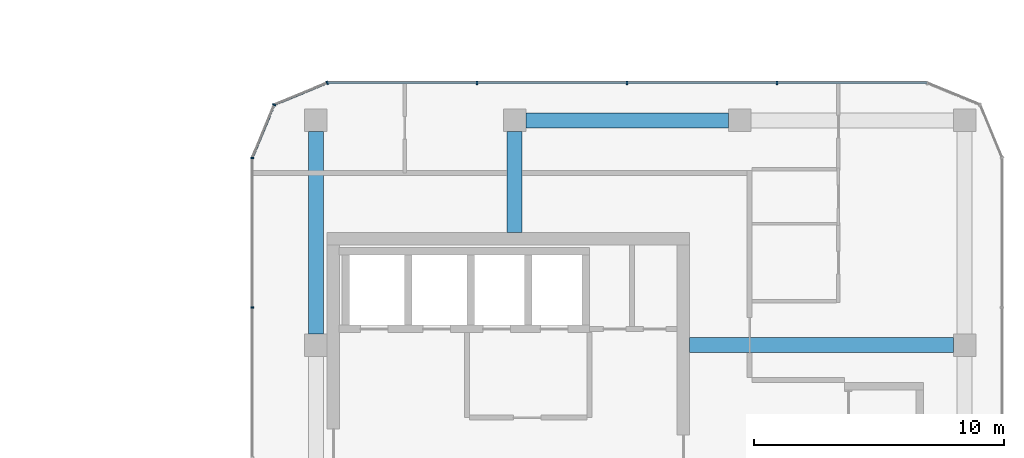
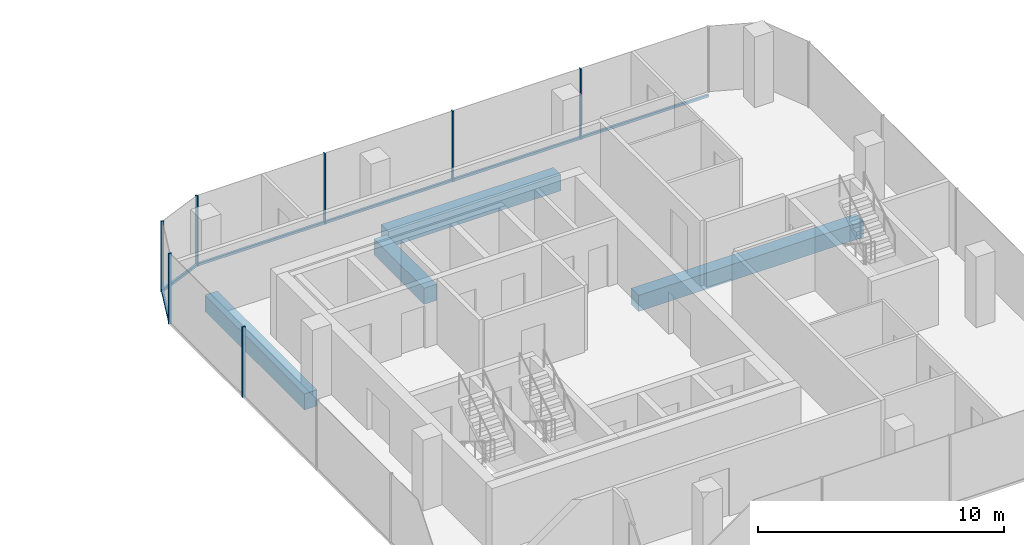
# One storey, part 10 of 24: 10 members, 4 beams, 4 elements without a shape of their own.
"""IFC4 building model written with IfcOpenShell, lengths in metres."""

from ifc_helpers import new_model, si_unit, direction, frame, origin, origin_2d, place, context, subcontext, project, spatial, rectangle, extrude, material, layer, layer_set, material_profile, profile_set, type_object, element, aggregate, save


model = new_model("IFC4")

# Units and contexts
model_context = context("Model", 3, precision=1e-05, world=origin(), true_north=direction((0.0, 1.0)))
body_context = subcontext(model_context, "Body", "Model", "MODEL_VIEW")
ifc_project = project(units=[si_unit("LENGTHUNIT", "METRE"), si_unit("AREAUNIT", "SQUARE_METRE"), si_unit("VOLUMEUNIT", "CUBIC_METRE"), si_unit("PLANEANGLEUNIT", "RADIAN"), si_unit("MASSUNIT", "GRAM", prefix="KILO")], contexts=[model_context])

# Site, building, storey
site_placement = place(None, origin())
site = spatial("IfcSite", under=ifc_project, at=site_placement, CompositionType="ELEMENT")
building_placement = place(site_placement, origin())
building = spatial("IfcBuilding", under=site, at=building_placement, Name="Plateau Cross Towers", CompositionType="ELEMENT")
storey_placement = place(building_placement, frame((0.0, 0.0, 51.300048828125)))
storey = spatial("IfcBuildingStorey", under=building, at=storey_placement, Name="L12", CompositionType="ELEMENT", Elevation=51.300048828125)

# Beams
ifc_material_1 = material(Name="Concrete C60/75", Category="concrete")
ifc_material_profile_1 = material_profile(ifc_material_1, rectangle(XDim=0.60009765625, YDim=0.800048828125, at=origin_2d()), Name="RC 600x800")
ifc_profile_set_1 = profile_set([ifc_material_profile_1], Name="Concrete C60/75")
beam_type_1 = type_object("IfcBeamType", Name="Core beam RC 600x800", PredefinedType="BEAM", material=ifc_profile_set_1)
beam_1_placement = place(storey_placement, frame((89.5, 13.5, -0.650146484375), z_axis=(1.0, 0.0, 0.0), x_axis=(0.0, 1.0, 0.0)))
element("IfcBeam", 1, at=beam_1_placement, inside=storey, type_object=beam_type_1, Name="B-CB03@L12", PredefinedType="BEAM", context=body_context, shape_type="SweptSolid", body=[
    extrude(rectangle(XDim=0.60009765625, YDim=0.800048828125, at=origin_2d()), origin(), (0.0, 0.0, 1.0), 10.550048828125),
])
beam_2_placement = place(storey_placement, frame((82.5, 18.0, -0.650146484375), z_axis=(0.0, 1.0, 0.0), x_axis=(-1.0, 0.0, 0.0)))
element("IfcBeam", 2, at=beam_2_placement, inside=storey, type_object=beam_type_1, Name="B-CB04@L12", PredefinedType="BEAM", context=body_context, shape_type="SweptSolid", body=[
    extrude(rectangle(XDim=0.60009765625, YDim=0.800048828125, at=origin_2d()), origin(), (0.0, 0.0, 1.0), 4.050048828125),
])

# Curtain wall, members
ifc_material_2 = material(Name="Dark low-iron glass", Category="glass")
ifc_layer = layer(ifc_material_2, 0.239990234375)
ifc_layer_set = layer_set([ifc_layer], Name="Dark low-iron glass")
curtain_wall_type = type_object("IfcCurtainWallType", Name="Curtain wall office unitised CW-F", PredefinedType="NOTDEFINED", material=ifc_layer_set)
curtain_wall_1_placement = place(storey_placement, origin())
curtain_wall_1 = element("IfcCurtainWall", 3, at=curtain_wall_1_placement, inside=storey, type_object=curtain_wall_type, Name="ENV/B/L12/B990_240", PredefinedType="NOTDEFINED")
ifc_material_3 = material(Name="Black anodised aluminium", Category="aluminium")
ifc_material_profile_2 = material_profile(ifc_material_3, rectangle(XDim=0.06005859375, YDim=0.139892578125, at=origin_2d()), Name="MULLION 60x140")
ifc_profile_set_2 = profile_set([ifc_material_profile_2], Name="Black anodised aluminium")
member_type_1 = type_object("IfcMemberType", Name="Mullion 60x140 office unitised", PredefinedType="MULLION", material=ifc_profile_set_2)
member_1_placement = place(storey_placement, frame((93.0, 24.0, -0.25), z_axis=(0.0, 0.0, 1.0), x_axis=(-1.0, 0.0, 0.0)))
member_1 = element("IfcMember", 4, at=member_1_placement, type_object=member_type_1, Name="CW-F mullion 2", PredefinedType="MULLION", context=body_context, shape_type="SweptSolid", body=[
    extrude(rectangle(XDim=0.06005859375, YDim=0.139892578125, at=origin_2d()), origin(), (0.0, 0.0, 1.0), 3.5),
])
member_2_placement = place(storey_placement, frame((87.0, 24.0, -0.25), z_axis=(0.0, 0.0, 1.0), x_axis=(-1.0, 0.0, 0.0)))
member_2 = element("IfcMember", 5, at=member_2_placement, type_object=member_type_1, Name="CW-F mullion 3", PredefinedType="MULLION", context=body_context, shape_type="SweptSolid", body=[
    extrude(rectangle(XDim=0.06005859375, YDim=0.139892578125, at=origin_2d()), origin(), (0.0, 0.0, 1.0), 3.5),
])
member_3_placement = place(storey_placement, frame((81.0, 24.0, -0.25), z_axis=(0.0, 0.0, 1.0), x_axis=(-1.0, 0.0, 0.0)))
member_3 = element("IfcMember", 6, at=member_3_placement, type_object=member_type_1, Name="CW-F mullion 4", PredefinedType="MULLION", context=body_context, shape_type="SweptSolid", body=[
    extrude(rectangle(XDim=0.06005859375, YDim=0.139892578125, at=origin_2d()), origin(), (0.0, 0.0, 1.0), 3.5),
])

# Curtain wall, member
curtain_wall_2_placement = place(storey_placement, origin())
curtain_wall_2 = element("IfcCurtainWall", 7, at=curtain_wall_2_placement, inside=storey, type_object=curtain_wall_type, Name="ENV/B/L12/B750_240", PredefinedType="NOTDEFINED")
member_4_placement = place(storey_placement, frame((75.0, 24.0, -0.25), z_axis=(0.0, 0.0, 1.0), x_axis=(-0.923879457699, -0.382683612978, 0.0)))
member_4 = element("IfcMember", 8, at=member_4_placement, type_object=member_type_1, Name="CW-F mullion 1", PredefinedType="MULLION", context=body_context, shape_type="SweptSolid", body=[
    extrude(rectangle(XDim=0.06005859375, YDim=0.139892578125, at=origin_2d()), origin(), (0.0, 0.0, 1.0), 3.5),
])

curtain_wall_3_placement = place(storey_placement, origin())
curtain_wall_3 = element("IfcCurtainWall", 9, at=curtain_wall_3_placement, inside=storey, type_object=curtain_wall_type, Name="ENV/B/L12/B729_231", PredefinedType="NOTDEFINED")
member_5_placement = place(storey_placement, frame((72.878662109375, 23.121337890625, -0.25), z_axis=(0.0, 0.0, 1.0), x_axis=(-0.382683612978, -0.923879457699, 0.0)))
member_5 = element("IfcMember", 10, at=member_5_placement, type_object=member_type_1, Name="CW-F mullion 1", PredefinedType="MULLION", context=body_context, shape_type="SweptSolid", body=[
    extrude(rectangle(XDim=0.06005859375, YDim=0.139892578125, at=origin_2d()), origin(), (0.0, 0.0, 1.0), 3.5),
])

# Curtain wall, members
curtain_wall_4_placement = place(storey_placement, origin())
curtain_wall_4 = element("IfcCurtainWall", 11, at=curtain_wall_4_placement, inside=storey, type_object=curtain_wall_type, Name="ENV/B/L12/B720_210", PredefinedType="NOTDEFINED")
member_6_placement = place(storey_placement, frame((72.0, 21.0, -0.25), z_axis=(0.0, 0.0, 1.0), x_axis=(0.0, -1.0, 0.0)))
member_6 = element("IfcMember", 12, at=member_6_placement, type_object=member_type_1, Name="CW-F mullion 1", PredefinedType="MULLION", context=body_context, shape_type="SweptSolid", body=[
    extrude(rectangle(XDim=0.06005859375, YDim=0.139892578125, at=origin_2d()), origin(), (0.0, 0.0, 1.0), 3.5),
])
member_7_placement = place(storey_placement, frame((72.0, 15.0, -0.25), z_axis=(0.0, 0.0, 1.0), x_axis=(0.0, -1.0, 0.0)))
member_7 = element("IfcMember", 13, at=member_7_placement, type_object=member_type_1, Name="CW-F mullion 2", PredefinedType="MULLION", context=body_context, shape_type="SweptSolid", body=[
    extrude(rectangle(XDim=0.06005859375, YDim=0.139892578125, at=origin_2d()), origin(), (0.0, 0.0, 1.0), 3.5),
])
aggregate(curtain_wall_4, [member_6, member_7])

# Beams
ifc_material_profile_3 = material_profile(ifc_material_1, rectangle(XDim=0.60009765625, YDim=0.800048828125, at=origin_2d()), Name="RC 600x800")
ifc_profile_set_3 = profile_set([ifc_material_profile_3], Name="Concrete C60/75")
beam_type_2 = type_object("IfcBeamType", Name="Ring beam RC 600x800", PredefinedType="BEAM", material=ifc_profile_set_3)
for number, where, z_axis, x_axis, name in (
    (14, (91.050048828125, 22.5, -0.650146484375), (-1.0, 0.0, 0.0), (0.0, -1.0, 0.0), "B-RB07@L12"),
    (15, (74.550048828125, 22.050048828125, -0.650146484375), (0.0, -1.0, 0.0), (1.0, 0.0, 0.0), "B-RB08@L12"),
):
    element("IfcBeam", number, at=place(storey_placement, frame(where, z_axis=z_axis, x_axis=x_axis)), inside=storey, type_object=beam_type_2, Name=name, PredefinedType="BEAM", context=body_context, shape_type="SweptSolid", body=[
        extrude(rectangle(XDim=0.60009765625, YDim=0.800048828125, at=origin_2d()), origin(), (0.0, 0.0, 1.0), 8.10009765625),
    ])

# Member
ifc_material_profile_4 = material_profile(ifc_material_3, rectangle(XDim=0.10009765625, YDim=0.1201171875, at=origin_2d()), Name="TRANSOM 100x120")
ifc_profile_set_4 = profile_set([ifc_material_profile_4], Name="Black anodised aluminium")
member_type_2 = type_object("IfcMemberType", Name="Transom 100x120 office unitised", PredefinedType="USERDEFINED", material=ifc_profile_set_4)
member_8_placement = place(storey_placement, frame((99.0, 24.0, -0.18994140625), z_axis=(-1.0, 0.0, 0.0), x_axis=(0.0, -1.0, 0.0)))
member_8 = element("IfcMember", 16, at=member_8_placement, type_object=member_type_2, Name="CW-F transom", ObjectType="TRANSOM", PredefinedType="USERDEFINED", context=body_context, shape_type="SweptSolid", body=[
    extrude(rectangle(XDim=0.10009765625, YDim=0.1201171875, at=origin_2d()), origin(), (0.0, 0.0, 1.0), 24.0),
])

aggregate(curtain_wall_1, [member_1, member_2, member_3, member_8])

member_9_placement = place(storey_placement, frame((75.0, 24.0, -0.18994140625), z_axis=(-0.923883353507, -0.382674207535, 0.0), x_axis=(0.382674207535, -0.923883353507, 0.0)))
member_9 = element("IfcMember", 17, at=member_9_placement, type_object=member_type_2, Name="CW-F transom", ObjectType="TRANSOM", PredefinedType="USERDEFINED", context=body_context, shape_type="SweptSolid", body=[
    extrude(rectangle(XDim=0.10009765625, YDim=0.1201171875, at=origin_2d()), origin(), (0.0, 0.0, 1.0), 2.296142578125),
])

aggregate(curtain_wall_2, [member_4, member_9])

member_10_placement = place(storey_placement, frame((72.878662109375, 23.121337890625, -0.18994140625), z_axis=(-0.382674207535, -0.923883353507, 0.0), x_axis=(0.923883353507, -0.382674207535, 0.0)))
member_10 = element("IfcMember", 18, at=member_10_placement, type_object=member_type_2, Name="CW-F transom", ObjectType="TRANSOM", PredefinedType="USERDEFINED", context=body_context, shape_type="SweptSolid", body=[
    extrude(rectangle(XDim=0.10009765625, YDim=0.1201171875, at=origin_2d()), origin(), (0.0, 0.0, 1.0), 2.296142578125),
])

aggregate(curtain_wall_3, [member_5, member_10])

save(model, "model.ifc")
